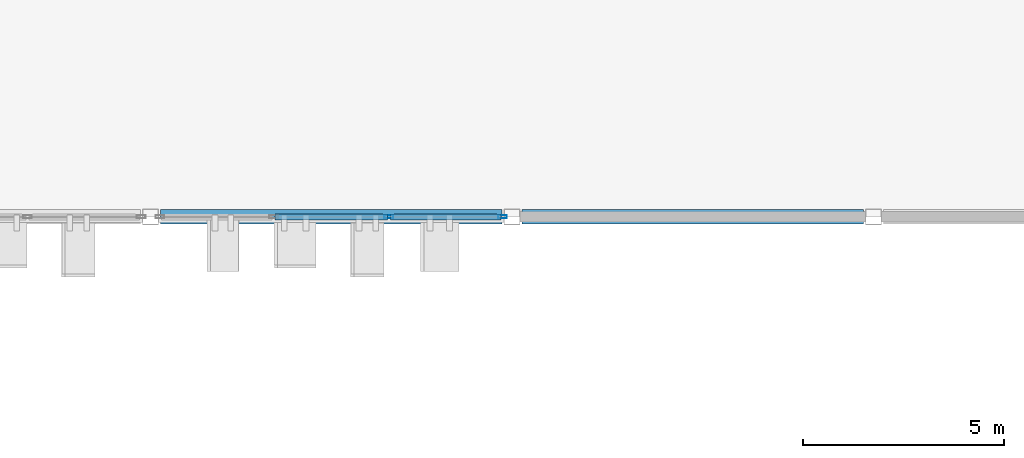
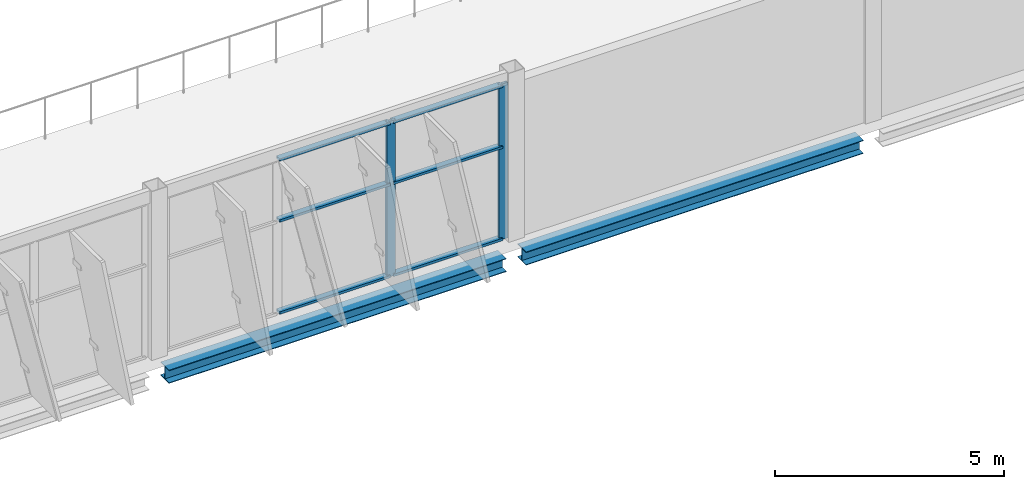
# One storey, part 62 of 151: 8 members, 2 beams, 1 element without a shape of its own.
"""IFC4 building model written with IfcOpenShell, lengths in metres."""

from ifc_helpers import new_model, si_unit, direction, frame, origin, origin_2d, place, context, subcontext, project, spatial, hollow_rectangle, i_section, extrude, material, layer, layer_set, material_profile, profile_set, type_object, element, aggregate, save


model = new_model("IFC4")

# Units and contexts
model_context = context("Model", 3, precision=1e-05, world=origin(), true_north=direction((0.0, 1.0)))
body_context = subcontext(model_context, "Body", "Model", "MODEL_VIEW")
ifc_project = project(units=[si_unit("LENGTHUNIT", "METRE"), si_unit("AREAUNIT", "SQUARE_METRE"), si_unit("VOLUMEUNIT", "CUBIC_METRE"), si_unit("PLANEANGLEUNIT", "RADIAN"), si_unit("MASSUNIT", "GRAM", prefix="KILO")], contexts=[model_context])

# Site, building, storey
site_placement = place(None, origin())
site = spatial("IfcSite", under=ifc_project, at=site_placement, CompositionType="ELEMENT")
building_placement = place(site_placement, origin())
building = spatial("IfcBuilding", under=site, at=building_placement, Name="Celestram Park Convention Centre", CompositionType="ELEMENT")
storey_placement = place(building_placement, frame((0.0, 0.0, 10.800048828125)))
storey = spatial("IfcBuildingStorey", under=building, at=storey_placement, Name="L02", CompositionType="ELEMENT", Elevation=10.800048828125)

# Curtain wall, members
ifc_material_1 = material(Name="Anodised Aluminium Alloy 6063-T6", Category="aluminium")
ifc_layer = layer(ifc_material_1, 0.179931640625)
ifc_layer_set = layer_set([ifc_layer], Name="Anodised Aluminium Alloy 6063-T6")
curtain_wall_type = type_object("IfcCurtainWallType", Name="ARC-CW-860X414", PredefinedType="NOTDEFINED", material=ifc_layer_set)
curtain_wall_placement = place(storey_placement, origin())
curtain_wall = element("IfcCurtainWall", 1, at=curtain_wall_placement, inside=storey, type_object=curtain_wall_type, Name="Unitised curtain wall CU-L02-176", PredefinedType="NOTDEFINED")
ifc_material_profile_1 = material_profile(ifc_material_1, hollow_rectangle(XDim=0.074951171875, YDim=0.219970703125, WallThickness=0.00390625, at=origin_2d()), Name="ALU75X220X4")
ifc_profile_set_1 = profile_set([ifc_material_profile_1], Name="Anodised Aluminium Alloy 6063-T6")
member_type_1 = type_object("IfcMemberType", Name="ARC-CWM-180", PredefinedType="MULLION", material=ifc_profile_set_1)
member_1_placement = place(storey_placement, frame((179.764404296875, 115.199951171875, 0.0), z_axis=(0.0, 0.0, 1.0), x_axis=(0.0, -1.0, 0.0)))
member_1 = element("IfcMember", 2, at=member_1_placement, type_object=member_type_1, Name="CW-86X41 mullion 1", PredefinedType="MULLION", context=body_context, shape_type="SweptSolid", body=[
    extrude(hollow_rectangle(XDim=0.074951171875, YDim=0.219970703125, WallThickness=0.00390625, at=origin_2d()), origin(), (0.0, 0.0, 1.0), 4.14404296875),
])
member_2_placement = place(storey_placement, frame((176.93408203125, 115.199951171875, 0.0), z_axis=(0.0, 0.0, 1.0), x_axis=(0.0, -1.0, 0.0)))
member_2 = element("IfcMember", 3, at=member_2_placement, type_object=member_type_1, Name="CW-86X41 mullion 2", PredefinedType="MULLION", context=body_context, shape_type="SweptSolid", body=[
    extrude(hollow_rectangle(XDim=0.074951171875, YDim=0.219970703125, WallThickness=0.00390625, at=origin_2d()), origin(), (0.0, 0.0, 1.0), 4.14404296875),
])
ifc_material_profile_2 = material_profile(ifc_material_1, hollow_rectangle(XDim=0.14990234375, YDim=0.06494140625, WallThickness=0.0029296875, at=origin_2d()), Name="ALU150X65X3")
ifc_profile_set_2 = profile_set([ifc_material_profile_2], Name="Anodised Aluminium Alloy 6063-T6")
member_type_2 = type_object("IfcMemberType", Name="ARC-CWT-150", PredefinedType="USERDEFINED", material=ifc_profile_set_2)
member_3_placement = place(storey_placement, frame((179.72705078125, 115.199951171875, 0.032470703125), z_axis=(-1.0, 0.0, 0.0), x_axis=(0.0, -1.0, 0.0)))
member_3 = element("IfcMember", 4, at=member_3_placement, type_object=member_type_2, Name="CW-86X41 transom 1.1", ObjectType="TRANSOM", PredefinedType="USERDEFINED", context=body_context, shape_type="SweptSolid", body=[
    extrude(hollow_rectangle(XDim=0.14990234375, YDim=0.06494140625, WallThickness=0.0029296875, at=origin_2d()), origin(), (0.0, 0.0, 1.0), 2.755615234375),
])
member_4_placement = place(storey_placement, frame((179.72705078125, 115.199951171875, 2.48583984375), z_axis=(-1.0, 0.0, 0.0), x_axis=(0.0, -1.0, 0.0)))
member_4 = element("IfcMember", 5, at=member_4_placement, type_object=member_type_2, Name="CW-86X41 transom 1.2", ObjectType="TRANSOM", PredefinedType="USERDEFINED", context=body_context, shape_type="SweptSolid", body=[
    extrude(hollow_rectangle(XDim=0.14990234375, YDim=0.06494140625, WallThickness=0.0029296875, at=origin_2d()), origin(), (0.0, 0.0, 1.0), 2.755615234375),
])
member_5_placement = place(storey_placement, frame((179.72705078125, 115.199951171875, 4.111572265625), z_axis=(-1.0, 0.0, 0.0), x_axis=(0.0, -1.0, 0.0)))
member_5 = element("IfcMember", 6, at=member_5_placement, type_object=member_type_2, Name="CW-86X41 transom 1.3", ObjectType="TRANSOM", PredefinedType="USERDEFINED", context=body_context, shape_type="SweptSolid", body=[
    extrude(hollow_rectangle(XDim=0.14990234375, YDim=0.06494140625, WallThickness=0.0029296875, at=origin_2d()), origin(), (0.0, 0.0, 1.0), 2.755615234375),
])
member_6_placement = place(storey_placement, frame((176.896484375, 115.199951171875, 0.032470703125), z_axis=(-1.0, 0.0, 0.0), x_axis=(0.0, -1.0, 0.0)))
member_6 = element("IfcMember", 7, at=member_6_placement, type_object=member_type_2, Name="CW-86X41 transom 2.1", ObjectType="TRANSOM", PredefinedType="USERDEFINED", context=body_context, shape_type="SweptSolid", body=[
    extrude(hollow_rectangle(XDim=0.14990234375, YDim=0.06494140625, WallThickness=0.0029296875, at=origin_2d()), origin(), (0.0, 0.0, 1.0), 2.79296875),
])
member_7_placement = place(storey_placement, frame((176.896484375, 115.199951171875, 2.48583984375), z_axis=(-1.0, 0.0, 0.0), x_axis=(0.0, -1.0, 0.0)))
member_7 = element("IfcMember", 8, at=member_7_placement, type_object=member_type_2, Name="CW-86X41 transom 2.2", ObjectType="TRANSOM", PredefinedType="USERDEFINED", context=body_context, shape_type="SweptSolid", body=[
    extrude(hollow_rectangle(XDim=0.14990234375, YDim=0.06494140625, WallThickness=0.0029296875, at=origin_2d()), origin(), (0.0, 0.0, 1.0), 2.79296875),
])
member_8_placement = place(storey_placement, frame((176.896484375, 115.199951171875, 4.111572265625), z_axis=(-1.0, 0.0, 0.0), x_axis=(0.0, -1.0, 0.0)))
member_8 = element("IfcMember", 9, at=member_8_placement, type_object=member_type_2, Name="CW-86X41 transom 2.3", ObjectType="TRANSOM", PredefinedType="USERDEFINED", context=body_context, shape_type="SweptSolid", body=[
    extrude(hollow_rectangle(XDim=0.14990234375, YDim=0.06494140625, WallThickness=0.0029296875, at=origin_2d()), origin(), (0.0, 0.0, 1.0), 2.79296875),
])
aggregate(curtain_wall, [member_1, member_2, member_3, member_4, member_5, member_6, member_7, member_8])

# Beams
ifc_material_2 = material(Name="Steel ASTM A992 Grade 50", Category="steel")
ifc_material_profile_3 = material_profile(ifc_material_2, i_section(OverallWidth=0.367919921875, OverallDepth=0.35595703125, WebThickness=0.01123046875, FlangeThickness=0.01806640625, at=origin_2d()), Name="W14X90")
ifc_profile_set_3 = profile_set([ifc_material_profile_3], Name="Steel ASTM A992 Grade 50")
beam_type = type_object("IfcBeamType", Name="STR-SPN-W14X90", PredefinedType="SPANDREL", material=ifc_profile_set_3)
for number, where, z_axis, x_axis, name in (
    (10, (171.248046875, 115.199951171875, -0.59814453125), (1.0, 0.0, 0.0), (0.0, 1.0, 0.0), "Primary X-girder BG-L02-0308"),
    (11, (180.248046875, 115.199951171875, -0.59814453125), (1.0, 0.0, 0.0), (0.0, 1.0, 0.0), "Primary X-girder BG-L02-0321"),
):
    element("IfcBeam", number, at=place(storey_placement, frame(where, z_axis=z_axis, x_axis=x_axis)), inside=storey, type_object=beam_type, Name=name, PredefinedType="SPANDREL", context=body_context, shape_type="SweptSolid", body=[
        extrude(i_section(OverallWidth=0.367919921875, OverallDepth=0.35595703125, WebThickness=0.01123046875, FlangeThickness=0.01806640625, at=origin_2d()), origin(), (0.0, 0.0, 1.0), 8.50390625),
    ])

save(model, "model.ifc")
